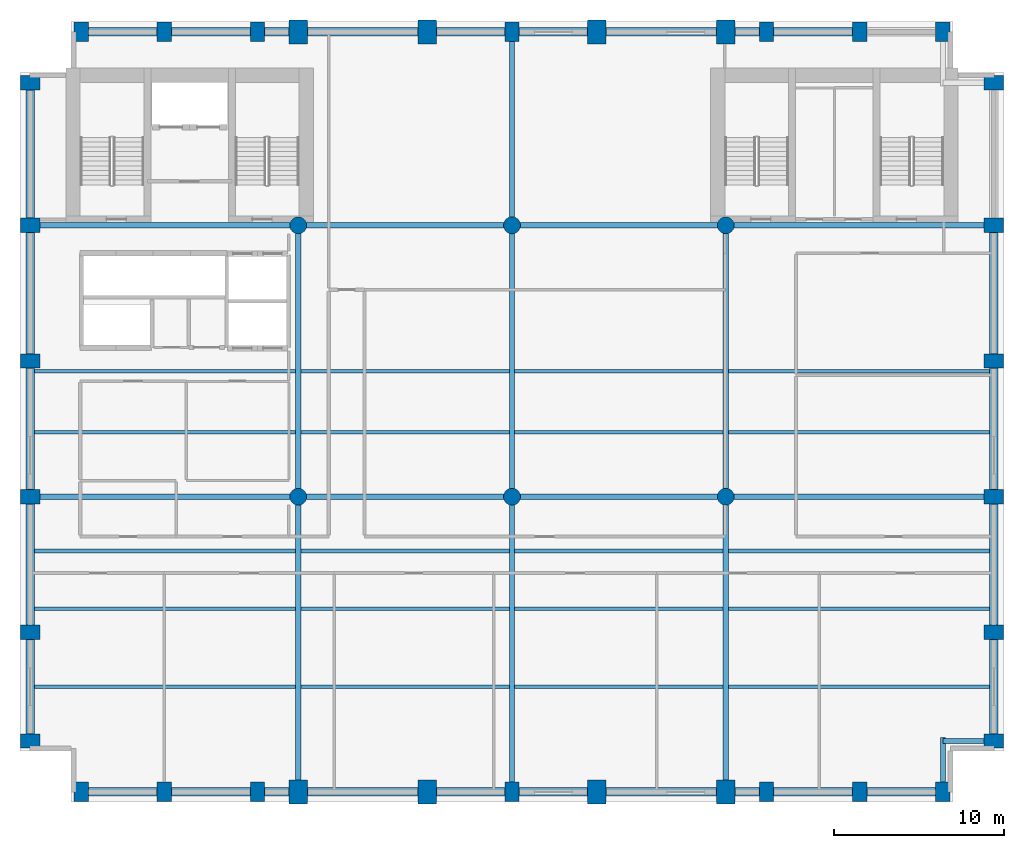
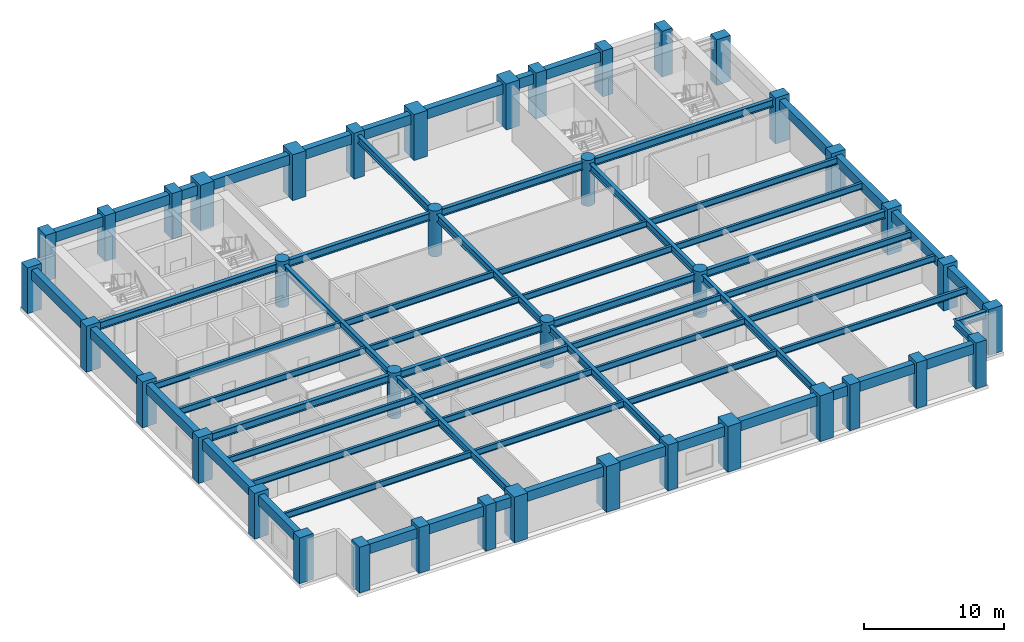
# One storey, part 1 of 8: 65 beams, 40 columns.
"""IFC4 building model written with IfcOpenShell, lengths in metres."""

import ifcopenshell
import ifcopenshell.guid

model = None  # the IFC model being written
_history = None  # IfcOwnerHistory: only IFC2X3 demands one
_inside = {}  # id of a spatial element -> (the spatial element, [elements in it])
_under = {}  # id of a project, library or spatial element -> (it, [spatial elements below it])
_declared = {}  # id of a project -> (the project, [libraries it declares])
_typed = {}  # id of a type object -> (the type object, [elements of that type])
_made_of = {}  # id of a material, layer set ... -> (it, [elements and type objects made of it])


def new_model(schema):
    """Start an empty IFC model of exactly this schema.

    Asked for "IFC4X3", IfcOpenShell would pick the latest addendum, in which some entities
    have other attributes; the version numbers below select the first issue.
    IFC2X3 requires an IfcOwnerHistory on every rooted entity: one is made here for all.
    """
    global model, _history
    if schema == "IFC4X3":
        model = ifcopenshell.file(schema_version=(4, 3, 0, 0))
    else:
        model = ifcopenshell.file(schema=schema)
    _inside.clear()
    _under.clear()
    _declared.clear()
    _typed.clear()
    _made_of.clear()
    _history = None
    if model.schema == "IFC2X3":
        org = make("IfcOrganization", Name="unknown")
        user = make(
            "IfcPersonAndOrganization",
            ThePerson=make("IfcPerson", FamilyName="unknown"),
            TheOrganization=org,
        )
        app = make(
            "IfcApplication",
            ApplicationDeveloper=org,
            Version="unknown",
            ApplicationFullName="unknown",
            ApplicationIdentifier="unknown",
        )
        _history = make(
            "IfcOwnerHistory",
            OwningUser=user,
            OwningApplication=app,
            ChangeAction="ADDED",
            CreationDate=0,
        )
    return model


def make(cls, **values):
    """One entity of the class cls with the attributes given. An attribute that is None is left unset."""
    return model.create_entity(
        cls, **{name: value for name, value in values.items() if value is not None}
    )


def rooted(cls, **values):
    """An entity with a GlobalId (a new one), such as an element, a storey or a relation."""
    return make(cls, GlobalId=ifcopenshell.guid.new(), OwnerHistory=_history, **values)


def si_unit(unit_type, name, prefix=None):
    """IfcSIUnit, for example si_unit("LENGTHUNIT", "METRE", prefix="MILLI")."""
    return make("IfcSIUnit", UnitType=unit_type, Prefix=prefix, Name=name)


def assignment(units):
    """IfcUnitAssignment: the units of a project."""
    return None if units is None else make("IfcUnitAssignment", Units=units)


def point(xyz):
    """IfcCartesianPoint."""
    return None if xyz is None else make("IfcCartesianPoint", Coordinates=xyz)


def direction(xyz):
    """IfcDirection."""
    return None if xyz is None else make("IfcDirection", DirectionRatios=xyz)


def frame(location, z_axis=None, x_axis=None):
    """IfcAxis2Placement3D, a coordinate frame: its origin and axes. An axis left out is left unset."""
    return make(
        "IfcAxis2Placement3D",
        Location=point(location),
        Axis=direction(z_axis),
        RefDirection=direction(x_axis),
    )


def frame_2d(location, x_axis=None):
    """IfcAxis2Placement2D, a coordinate frame in the plane: its origin and x axis."""
    return make(
        "IfcAxis2Placement2D", Location=point(location), RefDirection=direction(x_axis)
    )


def origin():
    """The frame at (0, 0, 0) with its axes left unset."""
    return frame((0.0, 0.0, 0.0))


def origin_2d():
    """The frame at (0, 0) in the plane with its x axis left unset."""
    return frame_2d((0.0, 0.0))


def place(relative_to, where):
    """IfcLocalPlacement: puts the frame where relative to a parent placement (None: the world)."""
    return make(
        "IfcLocalPlacement", PlacementRelTo=relative_to, RelativePlacement=where
    )


def context(
    kind, dimensions, precision=None, world=None, true_north=None, identifier=None
):
    """IfcGeometricRepresentationContext, for example the 3D "Model" context."""
    return make(
        "IfcGeometricRepresentationContext",
        ContextIdentifier=identifier,
        ContextType=kind,
        CoordinateSpaceDimension=dimensions,
        Precision=precision,
        WorldCoordinateSystem=world,
        TrueNorth=true_north,
    )


def subcontext(parent, identifier, kind, view, scale=None):
    """IfcGeometricRepresentationSubContext, for example "Body" below "Model"."""
    return make(
        "IfcGeometricRepresentationSubContext",
        ContextIdentifier=identifier,
        ContextType=kind,
        ParentContext=parent,
        TargetScale=scale,
        TargetView=view,
    )


def project(units=None, contexts=None):
    """IfcProject with its units and contexts."""
    return rooted(
        "IfcProject",
        Name="project",
        RepresentationContexts=contexts,
        UnitsInContext=assignment(units),
    )


def spatial(cls, under=None, at=None, **own):
    """A site, building, storey or space (cls), placed at a placement, below another one or the project."""
    s = rooted(cls, ObjectPlacement=at, **own)
    if under is not None:
        _under.setdefault(under.id(), (under, []))[1].append(s)
    return s


def profile(cls, at=None, kind="AREA", **sizes):
    """A parametric profile (cls). Its sizes go by their IFC names, for example OverallWidth=200.0."""
    return make(cls, ProfileType=kind, Position=at, **sizes)


def rectangle(**sizes):
    """IfcRectangleProfileDef."""
    return profile("IfcRectangleProfileDef", **sizes)


def circle(**sizes):
    """IfcCircleProfileDef."""
    return profile("IfcCircleProfileDef", **sizes)


def i_section(**sizes):
    """IfcIShapeProfileDef."""
    return profile("IfcIShapeProfileDef", **sizes)


def extrude(swept, where, along, depth):
    """IfcExtrudedAreaSolid: the profile swept, set in the frame where, extruded along a direction by depth."""
    return make(
        "IfcExtrudedAreaSolid",
        SweptArea=swept,
        Position=where,
        ExtrudedDirection=direction(along),
        Depth=depth,
    )


def shape(context_of_items, identifier, shape_type, items):
    """IfcShapeRepresentation: the items that make up one representation, for example the "Body"."""
    return make(
        "IfcShapeRepresentation",
        ContextOfItems=context_of_items,
        RepresentationIdentifier=identifier,
        RepresentationType=shape_type,
        Items=items,
    )


def material(Name=None, Category=None):
    """IfcMaterial."""
    return make("IfcMaterial", Name=Name, Category=Category)


def material_profile(
    of_material, cross_section, Name=None, Category=None, Priority=None
):
    """IfcMaterialProfile: a cross section and its material."""
    return make(
        "IfcMaterialProfile",
        Name=Name,
        Material=of_material,
        Profile=cross_section,
        Priority=Priority,
        Category=Category,
    )


def profile_set(profiles, Name=None, composite=None):
    """IfcMaterialProfileSet."""
    return make(
        "IfcMaterialProfileSet",
        Name=Name,
        MaterialProfiles=profiles,
        CompositeProfile=composite,
    )


def made_of(thing, what):
    """Note that an element or type object is made of a material, layer set ...; save() writes the relation."""
    if what is not None:
        _made_of.setdefault(what.id(), (what, []))[1].append(thing)
    return thing


def type_object(cls, material=None, **own):
    """A type object (cls), such as IfcWallType, which elements share."""
    return made_of(rooted(cls, **own), material)


def element(
    cls,
    number,
    at=None,
    inside=None,
    cuts=None,
    type_object=None,
    material=None,
    context=None,
    identifier="Body",
    shape_type=None,
    held_by="IfcProductDefinitionShape",
    body=None,
    shapes=None,
    **own,
):
    """One element of the class cls, such as IfcWall. Its Tag is "e" and its number.

    at: its placement. inside: the storey or other place that contains it. cuts: it is an
    opening in that element (IfcRelVoidsElement). A single representation is given by context,
    identifier, shape_type and body (its items); several are given by shapes. held_by: the class
    of the entity that holds the representations. save() writes the other relations.
    """
    e = rooted(cls, Tag="e%d" % number, ObjectPlacement=at, **own)
    if body is not None:
        shapes = [shape(context, identifier, shape_type, body)]
    if shapes is not None:
        e.Representation = make(held_by, Representations=shapes)
    if inside is not None:
        _inside.setdefault(inside.id(), (inside, []))[1].append(e)
    if cuts is not None:
        rooted(
            "IfcRelVoidsElement", RelatingBuildingElement=cuts, RelatedOpeningElement=e
        )
    if type_object is not None:
        _typed.setdefault(type_object.id(), (type_object, []))[1].append(e)
    return made_of(e, material)


def aggregate(whole, parts):
    """IfcRelAggregates: a whole, such as a stair, and the parts it consists of."""
    return rooted("IfcRelAggregates", RelatingObject=whole, RelatedObjects=parts)


def save(model, path):
    """Write the relations noted so far, then the file.

    IfcRelAggregates (storeys below a building ...), IfcRelContainedInSpatialStructure (elements
    in a storey), IfcRelDefinesByType, IfcRelAssociatesMaterial and IfcRelDeclares: one each for
    every whole, place, type object, material and project.
    """
    for whole, parts in _under.values():
        aggregate(whole, parts)
    for where, things in _inside.values():
        rooted(
            "IfcRelContainedInSpatialStructure",
            RelatedElements=things,
            RelatingStructure=where,
        )
    for kind, things in _typed.values():
        rooted("IfcRelDefinesByType", RelatedObjects=things, RelatingType=kind)
    for what, things in _made_of.values():
        rooted("IfcRelAssociatesMaterial", RelatedObjects=things, RelatingMaterial=what)
    for by, libraries in _declared.values():
        rooted("IfcRelDeclares", RelatingContext=by, RelatedDefinitions=libraries)
    model.write(path)


model = new_model("IFC4")

# Units and contexts
model_context = context("Model", 3, precision=1e-05, world=origin(), true_north=direction((0.0, 1.0)))
body_context = subcontext(model_context, "Body", "Model", "MODEL_VIEW")
ifc_project = project(units=[si_unit("LENGTHUNIT", "METRE"), si_unit("AREAUNIT", "SQUARE_METRE"), si_unit("VOLUMEUNIT", "CUBIC_METRE"), si_unit("PLANEANGLEUNIT", "RADIAN"), si_unit("MASSUNIT", "GRAM", prefix="KILO")], contexts=[model_context])

# Site, building, storey
site_placement = place(None, origin())
site = spatial("IfcSite", under=ifc_project, at=site_placement, CompositionType="ELEMENT")
building_placement = place(site_placement, origin())
building = spatial("IfcBuilding", under=site, at=building_placement, Name="Sulina Concourse Tower", CompositionType="ELEMENT")
storey_placement = place(building_placement, frame((0.0, 0.0, 100.60009765625)))
storey = spatial("IfcBuildingStorey", under=building, at=storey_placement, Name="L24", CompositionType="ELEMENT", Elevation=100.60009765625)

# Columns
ifc_material_1 = material(Name="Concrete C60/75", Category="concrete")
ifc_material_profile_1 = material_profile(ifc_material_1, circle(Radius=0.5, at=origin_2d()), Name="RC D1000")
ifc_profile_set_1 = profile_set([ifc_material_profile_1], Name="Concrete C60/75")
column_type_1 = type_object("IfcColumnType", Name="Lower Interior Circular Column D1000", PredefinedType="COLUMN", material=ifc_profile_set_1)
for number, where, z_axis, x_axis, name in (
    (1, (16.39990234375, 18.0, 0.0), (0.0, 0.0, 1.0), (1.0, 0.0, 0.0), "L24 structural column IC-M-164"),
    (2, (16.39990234375, 34.0, 0.0), (0.0, 0.0, 1.0), (1.0, 0.0, 0.0), "L24 structural column IC-N-164"),
    (3, (29.0, 18.0, 0.0), (0.0, 0.0, 1.0), (1.0, 0.0, 0.0), "L24 structural column IC-M-290"),
    (4, (29.0, 34.0, 0.0), (0.0, 0.0, 1.0), (1.0, 0.0, 0.0), "L24 structural column IC-N-290"),
    (5, (41.60009765625, 18.0, 0.0), (0.0, 0.0, 1.0), (1.0, 0.0, 0.0), "L24 structural column IC-M-416"),
    (6, (41.60009765625, 34.0, 0.0), (0.0, 0.0, 1.0), (1.0, 0.0, 0.0), "L24 structural column IC-N-416"),
):
    element("IfcColumn", number, at=place(storey_placement, frame(where, z_axis=z_axis, x_axis=x_axis)), inside=storey, type_object=column_type_1, Name=name, PredefinedType="COLUMN", context=body_context, shape_type="SweptSolid", body=[
        extrude(circle(Radius=0.5, at=origin_2d()), origin(), (0.0, 0.0, 1.0), 4.0),
    ])
ifc_material_2 = material(Name="Concrete C60/75", Category="concrete")
ifc_material_profile_2 = material_profile(ifc_material_2, rectangle(XDim=1.10009765625, YDim=1.39990234375, at=origin_2d()), Name="RC 1100x1400")
ifc_profile_set_2 = profile_set([ifc_material_profile_2], Name="Concrete C60/75")
column_type_2 = type_object("IfcColumnType", Name="Mid-Rise Portal Column 1100x1400", PredefinedType="COLUMN", material=ifc_profile_set_2)
for number, where, z_axis, x_axis, name in (
    (7, (16.39990234375, 0.60009765625, 0.0), (0.0, 0.0, 1.0), (1.0, 0.0, 0.0), "L24 structural column TP-S-164"),
    (8, (16.39990234375, 45.39990234375, 0.0), (0.0, 0.0, 1.0), (1.0, 0.0, 0.0), "L24 structural column TP-N-164"),
    (9, (24.0, 0.60009765625, 0.0), (0.0, 0.0, 1.0), (1.0, 0.0, 0.0), "L24 structural column TP-S-240"),
    (10, (24.0, 45.39990234375, 0.0), (0.0, 0.0, 1.0), (1.0, 0.0, 0.0), "L24 structural column TP-N-240"),
    (11, (34.0, 0.60009765625, 0.0), (0.0, 0.0, 1.0), (1.0, 0.0, 0.0), "L24 structural column TP-S-340"),
    (12, (34.0, 45.39990234375, 0.0), (0.0, 0.0, 1.0), (1.0, 0.0, 0.0), "L24 structural column TP-N-340"),
    (13, (41.60009765625, 0.60009765625, 0.0), (0.0, 0.0, 1.0), (1.0, 0.0, 0.0), "L24 structural column TP-S-416"),
    (14, (41.60009765625, 45.39990234375, 0.0), (0.0, 0.0, 1.0), (1.0, 0.0, 0.0), "L24 structural column TP-N-416"),
):
    element("IfcColumn", number, at=place(storey_placement, frame(where, z_axis=z_axis, x_axis=x_axis)), inside=storey, type_object=column_type_2, Name=name, PredefinedType="COLUMN", context=body_context, shape_type="SweptSolid", body=[
        extrude(rectangle(XDim=1.10009765625, YDim=1.39990234375, at=origin_2d()), origin(), (0.0, 0.0, 1.0), 4.0),
    ])
ifc_material_3 = material(Name="Precast concrete C60/75", Category="concrete")
ifc_material_profile_3 = material_profile(ifc_material_3, rectangle(XDim=0.85009765625, YDim=1.14990234375, at=origin_2d()), Name="PC 850x1150")
ifc_profile_set_3 = profile_set([ifc_material_profile_3], Name="Precast concrete C60/75")
column_type_3 = type_object("IfcColumnType", Name="Precast Tube Pier Zone 2 850x1150", PredefinedType="COLUMN", material=ifc_profile_set_3)
for number, where, z_axis, x_axis, name in (
    (15, (3.60009765625, 0.60009765625, 0.0), (0.0, 0.0, 1.0), (1.0, 0.0, 0.0), "L24 structural column TP-S-36"),
    (16, (3.60009765625, 45.39990234375, 0.0), (0.0, 0.0, 1.0), (1.0, 0.0, 0.0), "L24 structural column TP-N-36"),
    (17, (8.5, 0.60009765625, 0.0), (0.0, 0.0, 1.0), (1.0, 0.0, 0.0), "L24 structural column TP-S-85"),
    (18, (8.5, 45.39990234375, 0.0), (0.0, 0.0, 1.0), (1.0, 0.0, 0.0), "L24 structural column TP-N-85"),
    (19, (14.0, 0.60009765625, 0.0), (0.0, 0.0, 1.0), (1.0, 0.0, 0.0), "L24 structural column TP-S-140"),
    (20, (14.0, 45.39990234375, 0.0), (0.0, 0.0, 1.0), (1.0, 0.0, 0.0), "L24 structural column TP-N-140"),
    (21, (29.0, 0.60009765625, 0.0), (0.0, 0.0, 1.0), (1.0, 0.0, 0.0), "L24 structural column TP-S-290"),
    (22, (29.0, 45.39990234375, 0.0), (0.0, 0.0, 1.0), (1.0, 0.0, 0.0), "L24 structural column TP-N-290"),
    (23, (44.0, 0.60009765625, 0.0), (0.0, 0.0, 1.0), (1.0, 0.0, 0.0), "L24 structural column TP-S-440"),
    (24, (44.0, 45.39990234375, 0.0), (0.0, 0.0, 1.0), (1.0, 0.0, 0.0), "L24 structural column TP-N-440"),
    (25, (49.5, 0.60009765625, 0.0), (0.0, 0.0, 1.0), (1.0, 0.0, 0.0), "L24 structural column TP-S-495"),
    (26, (49.5, 45.39990234375, 0.0), (0.0, 0.0, 1.0), (1.0, 0.0, 0.0), "L24 structural column TP-N-495"),
    (27, (54.39990234375, 0.60009765625, 0.0), (0.0, 0.0, 1.0), (1.0, 0.0, 0.0), "L24 structural column TP-S-544"),
    (28, (54.39990234375, 45.39990234375, 0.0), (0.0, 0.0, 1.0), (1.0, 0.0, 0.0), "L24 structural column TP-N-544"),
    (29, (0.60009765625, 3.60009765625, 0.0), (0.0, 0.0, 1.0), (0.0, 1.0, 0.0), "L24 structural column TP-W-36"),
    (30, (57.39990234375, 3.60009765625, 0.0), (0.0, 0.0, 1.0), (0.0, 1.0, 0.0), "L24 structural column TP-E-36"),
    (31, (0.60009765625, 10.0, 0.0), (0.0, 0.0, 1.0), (0.0, 1.0, 0.0), "L24 structural column TP-W-100"),
    (32, (57.39990234375, 10.0, 0.0), (0.0, 0.0, 1.0), (0.0, 1.0, 0.0), "L24 structural column TP-E-100"),
    (33, (0.60009765625, 18.0, 0.0), (0.0, 0.0, 1.0), (0.0, 1.0, 0.0), "L24 structural column TP-W-180"),
    (34, (57.39990234375, 18.0, 0.0), (0.0, 0.0, 1.0), (0.0, 1.0, 0.0), "L24 structural column TP-E-180"),
    (35, (0.60009765625, 26.0, 0.0), (0.0, 0.0, 1.0), (0.0, 1.0, 0.0), "L24 structural column TP-W-260"),
    (36, (57.39990234375, 26.0, 0.0), (0.0, 0.0, 1.0), (0.0, 1.0, 0.0), "L24 structural column TP-E-260"),
    (37, (0.60009765625, 34.0, 0.0), (0.0, 0.0, 1.0), (0.0, 1.0, 0.0), "L24 structural column TP-W-340"),
    (38, (57.39990234375, 34.0, 0.0), (0.0, 0.0, 1.0), (0.0, 1.0, 0.0), "L24 structural column TP-E-340"),
    (39, (0.60009765625, 42.39990234375, 0.0), (0.0, 0.0, 1.0), (0.0, 1.0, 0.0), "L24 structural column TP-W-424"),
    (40, (57.39990234375, 42.39990234375, 0.0), (0.0, 0.0, 1.0), (0.0, 1.0, 0.0), "L24 structural column TP-E-424"),
):
    element("IfcColumn", number, at=place(storey_placement, frame(where, z_axis=z_axis, x_axis=x_axis)), inside=storey, type_object=column_type_3, Name=name, PredefinedType="COLUMN", context=body_context, shape_type="SweptSolid", body=[
        extrude(rectangle(XDim=0.85009765625, YDim=1.14990234375, at=origin_2d()), origin(), (0.0, 0.0, 1.0), 4.0),
    ])

# Beams
ifc_material_4 = material(Name="Steel S355", Category="steel")
ifc_material_profile_4 = material_profile(ifc_material_4, i_section(OverallWidth=0.2099609375, OverallDepth=0.550048828125, WebThickness=0.010986328125, FlangeThickness=0.01708984375, at=origin_2d()), Name="IPE 550")
ifc_profile_set_4 = profile_set([ifc_material_profile_4], Name="Steel S355")
beam_type_1 = type_object("IfcBeamType", Name="Composite Floor Joist IPE550", PredefinedType="JOIST", material=ifc_profile_set_4)
beam_1_placement = place(storey_placement, frame((0.85009765625, 6.800048828125, 3.449951171875), z_axis=(1.0, 0.0, 0.0), x_axis=(0.0, 1.0, 0.0)))
element("IfcBeam", 41, at=beam_1_placement, inside=storey, type_object=beam_type_1, Name="FJ-J06-1-L24", PredefinedType="JOIST", context=body_context, shape_type="SweptSolid", body=[
    extrude(i_section(OverallWidth=0.2099609375, OverallDepth=0.550048828125, WebThickness=0.010986328125, FlangeThickness=0.01708984375, at=origin_2d()), origin(), (0.0, 0.0, 1.0), 15.39990234375),
])
for number, where, z_axis, x_axis, name in (
    (42, (16.550048828125, 6.800048828125, 3.449951171875), (1.0, 0.0, 0.0), (0.0, 1.0, 0.0), "FJ-J06-2-L24"),
    (43, (29.14990234375, 6.800048828125, 3.449951171875), (1.0, 0.0, 0.0), (0.0, 1.0, 0.0), "FJ-J06-3-L24"),
):
    element("IfcBeam", number, at=place(storey_placement, frame(where, z_axis=z_axis, x_axis=x_axis)), inside=storey, type_object=beam_type_1, Name=name, PredefinedType="JOIST", context=body_context, shape_type="SweptSolid", body=[
        extrude(i_section(OverallWidth=0.2099609375, OverallDepth=0.550048828125, WebThickness=0.010986328125, FlangeThickness=0.01708984375, at=origin_2d()), origin(), (0.0, 0.0, 1.0), 12.300048828125),
    ])
for number, where, z_axis, x_axis, name in (
    (44, (41.75, 6.800048828125, 3.449951171875), (1.0, 0.0, 0.0), (0.0, 1.0, 0.0), "FJ-J06-4-L24"),
    (45, (0.85009765625, 11.39990234375, 3.449951171875), (1.0, 0.0, 0.0), (0.0, 1.0, 0.0), "FJ-J11-1-L24"),
):
    element("IfcBeam", number, at=place(storey_placement, frame(where, z_axis=z_axis, x_axis=x_axis)), inside=storey, type_object=beam_type_1, Name=name, PredefinedType="JOIST", context=body_context, shape_type="SweptSolid", body=[
        extrude(i_section(OverallWidth=0.2099609375, OverallDepth=0.550048828125, WebThickness=0.010986328125, FlangeThickness=0.01708984375, at=origin_2d()), origin(), (0.0, 0.0, 1.0), 15.39990234375),
    ])
for number, where, z_axis, x_axis, name in (
    (46, (16.550048828125, 11.39990234375, 3.449951171875), (1.0, 0.0, 0.0), (0.0, 1.0, 0.0), "FJ-J11-2-L24"),
    (47, (29.14990234375, 11.39990234375, 3.449951171875), (1.0, 0.0, 0.0), (0.0, 1.0, 0.0), "FJ-J11-3-L24"),
):
    element("IfcBeam", number, at=place(storey_placement, frame(where, z_axis=z_axis, x_axis=x_axis)), inside=storey, type_object=beam_type_1, Name=name, PredefinedType="JOIST", context=body_context, shape_type="SweptSolid", body=[
        extrude(i_section(OverallWidth=0.2099609375, OverallDepth=0.550048828125, WebThickness=0.010986328125, FlangeThickness=0.01708984375, at=origin_2d()), origin(), (0.0, 0.0, 1.0), 12.300048828125),
    ])
for number, where, z_axis, x_axis, name in (
    (48, (41.75, 11.39990234375, 3.449951171875), (1.0, 0.0, 0.0), (0.0, 1.0, 0.0), "FJ-J11-4-L24"),
    (49, (0.85009765625, 14.800048828125, 3.449951171875), (1.0, 0.0, 0.0), (0.0, 1.0, 0.0), "FJ-J15-1-L24"),
):
    element("IfcBeam", number, at=place(storey_placement, frame(where, z_axis=z_axis, x_axis=x_axis)), inside=storey, type_object=beam_type_1, Name=name, PredefinedType="JOIST", context=body_context, shape_type="SweptSolid", body=[
        extrude(i_section(OverallWidth=0.2099609375, OverallDepth=0.550048828125, WebThickness=0.010986328125, FlangeThickness=0.01708984375, at=origin_2d()), origin(), (0.0, 0.0, 1.0), 15.39990234375),
    ])
for number, where, z_axis, x_axis, name in (
    (50, (16.550048828125, 14.800048828125, 3.449951171875), (1.0, 0.0, 0.0), (0.0, 1.0, 0.0), "FJ-J15-2-L24"),
    (51, (29.14990234375, 14.800048828125, 3.449951171875), (1.0, 0.0, 0.0), (0.0, 1.0, 0.0), "FJ-J15-3-L24"),
):
    element("IfcBeam", number, at=place(storey_placement, frame(where, z_axis=z_axis, x_axis=x_axis)), inside=storey, type_object=beam_type_1, Name=name, PredefinedType="JOIST", context=body_context, shape_type="SweptSolid", body=[
        extrude(i_section(OverallWidth=0.2099609375, OverallDepth=0.550048828125, WebThickness=0.010986328125, FlangeThickness=0.01708984375, at=origin_2d()), origin(), (0.0, 0.0, 1.0), 12.300048828125),
    ])
for number, where, z_axis, x_axis, name in (
    (52, (41.75, 14.800048828125, 3.449951171875), (1.0, 0.0, 0.0), (0.0, 1.0, 0.0), "FJ-J15-4-L24"),
    (53, (0.85009765625, 21.800048828125, 3.449951171875), (1.0, 0.0, 0.0), (0.0, 1.0, 0.0), "FJ-J22-1-L24"),
):
    element("IfcBeam", number, at=place(storey_placement, frame(where, z_axis=z_axis, x_axis=x_axis)), inside=storey, type_object=beam_type_1, Name=name, PredefinedType="JOIST", context=body_context, shape_type="SweptSolid", body=[
        extrude(i_section(OverallWidth=0.2099609375, OverallDepth=0.550048828125, WebThickness=0.010986328125, FlangeThickness=0.01708984375, at=origin_2d()), origin(), (0.0, 0.0, 1.0), 15.39990234375),
    ])
for number, where, z_axis, x_axis, name in (
    (54, (16.550048828125, 21.800048828125, 3.449951171875), (1.0, 0.0, 0.0), (0.0, 1.0, 0.0), "FJ-J22-2-L24"),
    (55, (29.14990234375, 21.800048828125, 3.449951171875), (1.0, 0.0, 0.0), (0.0, 1.0, 0.0), "FJ-J22-3-L24"),
):
    element("IfcBeam", number, at=place(storey_placement, frame(where, z_axis=z_axis, x_axis=x_axis)), inside=storey, type_object=beam_type_1, Name=name, PredefinedType="JOIST", context=body_context, shape_type="SweptSolid", body=[
        extrude(i_section(OverallWidth=0.2099609375, OverallDepth=0.550048828125, WebThickness=0.010986328125, FlangeThickness=0.01708984375, at=origin_2d()), origin(), (0.0, 0.0, 1.0), 12.300048828125),
    ])
for number, where, z_axis, x_axis, name in (
    (56, (41.75, 21.800048828125, 3.449951171875), (1.0, 0.0, 0.0), (0.0, 1.0, 0.0), "FJ-J22-4-L24"),
    (57, (0.85009765625, 25.39990234375, 3.449951171875), (1.0, 0.0, 0.0), (0.0, 1.0, 0.0), "FJ-J25-1-L24"),
):
    element("IfcBeam", number, at=place(storey_placement, frame(where, z_axis=z_axis, x_axis=x_axis)), inside=storey, type_object=beam_type_1, Name=name, PredefinedType="JOIST", context=body_context, shape_type="SweptSolid", body=[
        extrude(i_section(OverallWidth=0.2099609375, OverallDepth=0.550048828125, WebThickness=0.010986328125, FlangeThickness=0.01708984375, at=origin_2d()), origin(), (0.0, 0.0, 1.0), 15.39990234375),
    ])
for number, where, z_axis, x_axis, name in (
    (58, (16.550048828125, 25.39990234375, 3.449951171875), (1.0, 0.0, 0.0), (0.0, 1.0, 0.0), "FJ-J25-2-L24"),
    (59, (29.14990234375, 25.39990234375, 3.449951171875), (1.0, 0.0, 0.0), (0.0, 1.0, 0.0), "FJ-J25-3-L24"),
):
    element("IfcBeam", number, at=place(storey_placement, frame(where, z_axis=z_axis, x_axis=x_axis)), inside=storey, type_object=beam_type_1, Name=name, PredefinedType="JOIST", context=body_context, shape_type="SweptSolid", body=[
        extrude(i_section(OverallWidth=0.2099609375, OverallDepth=0.550048828125, WebThickness=0.010986328125, FlangeThickness=0.01708984375, at=origin_2d()), origin(), (0.0, 0.0, 1.0), 12.300048828125),
    ])
beam_2_placement = place(storey_placement, frame((41.75, 25.39990234375, 3.449951171875), z_axis=(1.0, 0.0, 0.0), x_axis=(0.0, 1.0, 0.0)))
element("IfcBeam", 60, at=beam_2_placement, inside=storey, type_object=beam_type_1, Name="FJ-J25-4-L24", PredefinedType="JOIST", context=body_context, shape_type="SweptSolid", body=[
    extrude(i_section(OverallWidth=0.2099609375, OverallDepth=0.550048828125, WebThickness=0.010986328125, FlangeThickness=0.01708984375, at=origin_2d()), origin(), (0.0, 0.0, 1.0), 15.39990234375),
])
ifc_material_5 = material(Name="Steel S355", Category="steel")
ifc_material_profile_5 = material_profile(ifc_material_5, i_section(OverallWidth=0.300048828125, OverallDepth=0.64990234375, WebThickness=0.01611328125, FlangeThickness=0.031005859375, at=origin_2d()), Name="HE 650 B")
ifc_profile_set_5 = profile_set([ifc_material_profile_5], Name="Steel S355")
beam_type_2 = type_object("IfcBeamType", Name="Floor Primary Girder Zone 2 HE650B", PredefinedType="BEAM", material=ifc_profile_set_5)
beam_3_placement = place(storey_placement, frame((54.39990234375, 3.60009765625, 3.39990234375), z_axis=(1.0, 0.0, 0.0), x_axis=(0.0, 1.0, 0.0)))
element("IfcBeam", 61, at=beam_3_placement, inside=storey, type_object=beam_type_2, Name="TIE-SE-L24", PredefinedType="BEAM", context=body_context, shape_type="SweptSolid", body=[
    extrude(i_section(OverallWidth=0.300048828125, OverallDepth=0.64990234375, WebThickness=0.01611328125, FlangeThickness=0.031005859375, at=origin_2d()), origin(), (0.0, 0.0, 1.0), 2.59521484375),
])
beam_4_placement = place(storey_placement, frame((54.39990234375, 1.0048828125, 3.39990234375), z_axis=(0.0, 1.0, 0.0), x_axis=(-1.0, 0.0, 0.0)))
element("IfcBeam", 62, at=beam_4_placement, inside=storey, type_object=beam_type_2, Name="TIE-SES-L24", PredefinedType="BEAM", context=body_context, shape_type="SweptSolid", body=[
    extrude(i_section(OverallWidth=0.300048828125, OverallDepth=0.64990234375, WebThickness=0.01611328125, FlangeThickness=0.031005859375, at=origin_2d()), origin(), (0.0, 0.0, 1.0), 2.795166015625),
])
beam_5_placement = place(storey_placement, frame((1.0048828125, 18.0, 3.39990234375), z_axis=(1.0, 0.0, 0.0), x_axis=(0.0, 1.0, 0.0)))
element("IfcBeam", 63, at=beam_5_placement, inside=storey, type_object=beam_type_2, Name="FG-EW1-L24", PredefinedType="BEAM", context=body_context, shape_type="SweptSolid", body=[
    extrude(i_section(OverallWidth=0.300048828125, OverallDepth=0.64990234375, WebThickness=0.01611328125, FlangeThickness=0.031005859375, at=origin_2d()), origin(), (0.0, 0.0, 1.0), 14.9150390625),
])
for number, where, z_axis, x_axis, name in (
    (64, (16.8798828125, 18.0, 3.39990234375), (1.0, 0.0, 0.0), (0.0, 1.0, 0.0), "FG-EW2-L24"),
    (65, (29.47998046875, 18.0, 3.39990234375), (1.0, 0.0, 0.0), (0.0, 1.0, 0.0), "FG-EW3-L24"),
):
    element("IfcBeam", number, at=place(storey_placement, frame(where, z_axis=z_axis, x_axis=x_axis)), inside=storey, type_object=beam_type_2, Name=name, PredefinedType="BEAM", context=body_context, shape_type="SweptSolid", body=[
        extrude(i_section(OverallWidth=0.300048828125, OverallDepth=0.64990234375, WebThickness=0.01611328125, FlangeThickness=0.031005859375, at=origin_2d()), origin(), (0.0, 0.0, 1.0), 11.64013671875),
    ])
for number, where, z_axis, x_axis, name in (
    (66, (42.080078125, 18.0, 3.39990234375), (1.0, 0.0, 0.0), (0.0, 1.0, 0.0), "FG-EW4-L24"),
    (67, (1.0048828125, 34.0, 3.39990234375), (1.0, 0.0, 0.0), (0.0, 1.0, 0.0), "FG-EWN1-L24"),
):
    element("IfcBeam", number, at=place(storey_placement, frame(where, z_axis=z_axis, x_axis=x_axis)), inside=storey, type_object=beam_type_2, Name=name, PredefinedType="BEAM", context=body_context, shape_type="SweptSolid", body=[
        extrude(i_section(OverallWidth=0.300048828125, OverallDepth=0.64990234375, WebThickness=0.01611328125, FlangeThickness=0.031005859375, at=origin_2d()), origin(), (0.0, 0.0, 1.0), 14.9150390625),
    ])
for number, where, z_axis, x_axis, name in (
    (68, (16.8798828125, 34.0, 3.39990234375), (1.0, 0.0, 0.0), (0.0, 1.0, 0.0), "FG-EWN2-L24"),
    (69, (29.47998046875, 34.0, 3.39990234375), (1.0, 0.0, 0.0), (0.0, 1.0, 0.0), "FG-EWN3-L24"),
):
    element("IfcBeam", number, at=place(storey_placement, frame(where, z_axis=z_axis, x_axis=x_axis)), inside=storey, type_object=beam_type_2, Name=name, PredefinedType="BEAM", context=body_context, shape_type="SweptSolid", body=[
        extrude(i_section(OverallWidth=0.300048828125, OverallDepth=0.64990234375, WebThickness=0.01611328125, FlangeThickness=0.031005859375, at=origin_2d()), origin(), (0.0, 0.0, 1.0), 11.64013671875),
    ])
beam_6_placement = place(storey_placement, frame((42.080078125, 34.0, 3.39990234375), z_axis=(1.0, 0.0, 0.0), x_axis=(0.0, 1.0, 0.0)))
element("IfcBeam", 70, at=beam_6_placement, inside=storey, type_object=beam_type_2, Name="FG-EWN4-L24", PredefinedType="BEAM", context=body_context, shape_type="SweptSolid", body=[
    extrude(i_section(OverallWidth=0.300048828125, OverallDepth=0.64990234375, WebThickness=0.01611328125, FlangeThickness=0.031005859375, at=origin_2d()), origin(), (0.0, 0.0, 1.0), 14.9150390625),
])
beam_7_placement = place(storey_placement, frame((16.39990234375, 1.1298828125, 3.39990234375), z_axis=(0.0, 1.0, 0.0), x_axis=(-1.0, 0.0, 0.0)))
element("IfcBeam", 71, at=beam_7_placement, inside=storey, type_object=beam_type_2, Name="FG-NSA-16-L24", PredefinedType="BEAM", context=body_context, shape_type="SweptSolid", body=[
    extrude(i_section(OverallWidth=0.300048828125, OverallDepth=0.64990234375, WebThickness=0.01611328125, FlangeThickness=0.031005859375, at=origin_2d()), origin(), (0.0, 0.0, 1.0), 16.39013671875),
])
beam_8_placement = place(storey_placement, frame((16.39990234375, 18.47998046875, 3.39990234375), z_axis=(0.0, 1.0, 0.0), x_axis=(-1.0, 0.0, 0.0)))
element("IfcBeam", 72, at=beam_8_placement, inside=storey, type_object=beam_type_2, Name="FG-NSB-16-L24", PredefinedType="BEAM", context=body_context, shape_type="SweptSolid", body=[
    extrude(i_section(OverallWidth=0.300048828125, OverallDepth=0.64990234375, WebThickness=0.01611328125, FlangeThickness=0.031005859375, at=origin_2d()), origin(), (0.0, 0.0, 1.0), 15.0400390625),
])
beam_9_placement = place(storey_placement, frame((29.0, 1.0048828125, 3.39990234375), z_axis=(0.0, 1.0, 0.0), x_axis=(-1.0, 0.0, 0.0)))
element("IfcBeam", 73, at=beam_9_placement, inside=storey, type_object=beam_type_2, Name="FG-NSA-29-L24", PredefinedType="BEAM", context=body_context, shape_type="SweptSolid", body=[
    extrude(i_section(OverallWidth=0.300048828125, OverallDepth=0.64990234375, WebThickness=0.01611328125, FlangeThickness=0.031005859375, at=origin_2d()), origin(), (0.0, 0.0, 1.0), 16.51513671875),
])
beam_10_placement = place(storey_placement, frame((29.0, 18.47998046875, 3.39990234375), z_axis=(0.0, 1.0, 0.0), x_axis=(-1.0, 0.0, 0.0)))
element("IfcBeam", 74, at=beam_10_placement, inside=storey, type_object=beam_type_2, Name="FG-NSB-29-L24", PredefinedType="BEAM", context=body_context, shape_type="SweptSolid", body=[
    extrude(i_section(OverallWidth=0.300048828125, OverallDepth=0.64990234375, WebThickness=0.01611328125, FlangeThickness=0.031005859375, at=origin_2d()), origin(), (0.0, 0.0, 1.0), 15.0400390625),
])
beam_11_placement = place(storey_placement, frame((29.0, 34.47998046875, 3.39990234375), z_axis=(0.0, 1.0, 0.0), x_axis=(-1.0, 0.0, 0.0)))
element("IfcBeam", 75, at=beam_11_placement, inside=storey, type_object=beam_type_2, Name="FG-NSC-29-L24", PredefinedType="BEAM", context=body_context, shape_type="SweptSolid", body=[
    extrude(i_section(OverallWidth=0.300048828125, OverallDepth=0.64990234375, WebThickness=0.01611328125, FlangeThickness=0.031005859375, at=origin_2d()), origin(), (0.0, 0.0, 1.0), 10.51513671875),
])
beam_12_placement = place(storey_placement, frame((41.60009765625, 1.1298828125, 3.39990234375), z_axis=(0.0, 1.0, 0.0), x_axis=(-1.0, 0.0, 0.0)))
element("IfcBeam", 76, at=beam_12_placement, inside=storey, type_object=beam_type_2, Name="FG-NSA-41-L24", PredefinedType="BEAM", context=body_context, shape_type="SweptSolid", body=[
    extrude(i_section(OverallWidth=0.300048828125, OverallDepth=0.64990234375, WebThickness=0.01611328125, FlangeThickness=0.031005859375, at=origin_2d()), origin(), (0.0, 0.0, 1.0), 16.39013671875),
])
beam_13_placement = place(storey_placement, frame((41.60009765625, 18.47998046875, 3.39990234375), z_axis=(0.0, 1.0, 0.0), x_axis=(-1.0, 0.0, 0.0)))
element("IfcBeam", 77, at=beam_13_placement, inside=storey, type_object=beam_type_2, Name="FG-NSB-41-L24", PredefinedType="BEAM", context=body_context, shape_type="SweptSolid", body=[
    extrude(i_section(OverallWidth=0.300048828125, OverallDepth=0.64990234375, WebThickness=0.01611328125, FlangeThickness=0.031005859375, at=origin_2d()), origin(), (0.0, 0.0, 1.0), 15.0400390625),
])
ifc_material_6 = material(Name="Precast concrete C50/60", Category="concrete")
ifc_material_profile_6 = material_profile(ifc_material_6, rectangle(XDim=0.5, YDim=0.85009765625, at=origin_2d()), Name="RC 500x850")
ifc_profile_set_6 = profile_set([ifc_material_profile_6], Name="Precast concrete C50/60")
beam_type_3 = type_object("IfcBeamType", Name="Lower Precast Spandrel Edge Beam 500x850", PredefinedType="BEAM", material=ifc_profile_set_6)
beam_14_placement = place(storey_placement, frame((4.0048828125, 0.60009765625, 3.2998046875), z_axis=(1.0, 0.0, 0.0), x_axis=(0.0, 1.0, 0.0)))
element("IfcBeam", 78, at=beam_14_placement, inside=storey, type_object=beam_type_3, Name="SP-S1-L24", PredefinedType="BEAM", context=body_context, shape_type="SweptSolid", body=[
    extrude(rectangle(XDim=0.5, YDim=0.85009765625, at=origin_2d()), origin(), (0.0, 0.0, 1.0), 4.090087890625),
])
beam_15_placement = place(storey_placement, frame((8.905029296875, 0.60009765625, 3.2998046875), z_axis=(1.0, 0.0, 0.0), x_axis=(0.0, 1.0, 0.0)))
element("IfcBeam", 79, at=beam_15_placement, inside=storey, type_object=beam_type_3, Name="SP-S2-L24", PredefinedType="BEAM", context=body_context, shape_type="SweptSolid", body=[
    extrude(rectangle(XDim=0.5, YDim=0.85009765625, at=origin_2d()), origin(), (0.0, 0.0, 1.0), 4.68994140625),
])
beam_16_placement = place(storey_placement, frame((14.405029296875, 0.60009765625, 3.2998046875), z_axis=(1.0, 0.0, 0.0), x_axis=(0.0, 1.0, 0.0)))
element("IfcBeam", 80, at=beam_16_placement, inside=storey, type_object=beam_type_3, Name="SP-S3-L24", PredefinedType="BEAM", context=body_context, shape_type="SweptSolid", body=[
    extrude(rectangle(XDim=0.5, YDim=0.85009765625, at=origin_2d()), origin(), (0.0, 0.0, 1.0), 1.465087890625),
])
beam_17_placement = place(storey_placement, frame((16.929931640625, 0.60009765625, 3.2998046875), z_axis=(1.0, 0.0, 0.0), x_axis=(0.0, 1.0, 0.0)))
element("IfcBeam", 81, at=beam_17_placement, inside=storey, type_object=beam_type_3, Name="SP-S4-L24", PredefinedType="BEAM", context=body_context, shape_type="SweptSolid", body=[
    extrude(rectangle(XDim=0.5, YDim=0.85009765625, at=origin_2d()), origin(), (0.0, 0.0, 1.0), 6.5400390625),
])
for number, where, z_axis, x_axis, name in (
    (82, (24.530029296875, 0.60009765625, 3.2998046875), (1.0, 0.0, 0.0), (0.0, 1.0, 0.0), "SP-S5-L24"),
    (83, (29.405029296875, 0.60009765625, 3.2998046875), (1.0, 0.0, 0.0), (0.0, 1.0, 0.0), "SP-S6-L24"),
):
    element("IfcBeam", number, at=place(storey_placement, frame(where, z_axis=z_axis, x_axis=x_axis)), inside=storey, type_object=beam_type_3, Name=name, PredefinedType="BEAM", context=body_context, shape_type="SweptSolid", body=[
        extrude(rectangle(XDim=0.5, YDim=0.85009765625, at=origin_2d()), origin(), (0.0, 0.0, 1.0), 4.06494140625),
    ])
beam_18_placement = place(storey_placement, frame((34.530029296875, 0.60009765625, 3.2998046875), z_axis=(1.0, 0.0, 0.0), x_axis=(0.0, 1.0, 0.0)))
element("IfcBeam", 84, at=beam_18_placement, inside=storey, type_object=beam_type_3, Name="SP-S7-L24", PredefinedType="BEAM", context=body_context, shape_type="SweptSolid", body=[
    extrude(rectangle(XDim=0.5, YDim=0.85009765625, at=origin_2d()), origin(), (0.0, 0.0, 1.0), 6.5400390625),
])
beam_19_placement = place(storey_placement, frame((42.1298828125, 0.60009765625, 3.2998046875), z_axis=(1.0, 0.0, 0.0), x_axis=(0.0, 1.0, 0.0)))
element("IfcBeam", 85, at=beam_19_placement, inside=storey, type_object=beam_type_3, Name="SP-S8-L24", PredefinedType="BEAM", context=body_context, shape_type="SweptSolid", body=[
    extrude(rectangle(XDim=0.5, YDim=0.85009765625, at=origin_2d()), origin(), (0.0, 0.0, 1.0), 1.465087890625),
])
beam_20_placement = place(storey_placement, frame((44.405029296875, 0.60009765625, 3.2998046875), z_axis=(1.0, 0.0, 0.0), x_axis=(0.0, 1.0, 0.0)))
element("IfcBeam", 86, at=beam_20_placement, inside=storey, type_object=beam_type_3, Name="SP-S9-L24", PredefinedType="BEAM", context=body_context, shape_type="SweptSolid", body=[
    extrude(rectangle(XDim=0.5, YDim=0.85009765625, at=origin_2d()), origin(), (0.0, 0.0, 1.0), 4.68994140625),
])
for number, where, z_axis, x_axis, name in (
    (87, (49.905029296875, 0.60009765625, 3.2998046875), (1.0, 0.0, 0.0), (0.0, 1.0, 0.0), "SP-S10-L24"),
    (88, (4.0048828125, 45.39990234375, 3.2998046875), (1.0, 0.0, 0.0), (0.0, 1.0, 0.0), "SP-N1-L24"),
):
    element("IfcBeam", number, at=place(storey_placement, frame(where, z_axis=z_axis, x_axis=x_axis)), inside=storey, type_object=beam_type_3, Name=name, PredefinedType="BEAM", context=body_context, shape_type="SweptSolid", body=[
        extrude(rectangle(XDim=0.5, YDim=0.85009765625, at=origin_2d()), origin(), (0.0, 0.0, 1.0), 4.090087890625),
    ])
beam_21_placement = place(storey_placement, frame((8.905029296875, 45.39990234375, 3.2998046875), z_axis=(1.0, 0.0, 0.0), x_axis=(0.0, 1.0, 0.0)))
element("IfcBeam", 89, at=beam_21_placement, inside=storey, type_object=beam_type_3, Name="SP-N2-L24", PredefinedType="BEAM", context=body_context, shape_type="SweptSolid", body=[
    extrude(rectangle(XDim=0.5, YDim=0.85009765625, at=origin_2d()), origin(), (0.0, 0.0, 1.0), 4.68994140625),
])
beam_22_placement = place(storey_placement, frame((14.405029296875, 45.39990234375, 3.2998046875), z_axis=(1.0, 0.0, 0.0), x_axis=(0.0, 1.0, 0.0)))
element("IfcBeam", 90, at=beam_22_placement, inside=storey, type_object=beam_type_3, Name="SP-N3-L24", PredefinedType="BEAM", context=body_context, shape_type="SweptSolid", body=[
    extrude(rectangle(XDim=0.5, YDim=0.85009765625, at=origin_2d()), origin(), (0.0, 0.0, 1.0), 1.465087890625),
])
beam_23_placement = place(storey_placement, frame((16.929931640625, 45.39990234375, 3.2998046875), z_axis=(1.0, 0.0, 0.0), x_axis=(0.0, 1.0, 0.0)))
element("IfcBeam", 91, at=beam_23_placement, inside=storey, type_object=beam_type_3, Name="SP-N4-L24", PredefinedType="BEAM", context=body_context, shape_type="SweptSolid", body=[
    extrude(rectangle(XDim=0.5, YDim=0.85009765625, at=origin_2d()), origin(), (0.0, 0.0, 1.0), 6.5400390625),
])
for number, where, z_axis, x_axis, name in (
    (92, (24.530029296875, 45.39990234375, 3.2998046875), (1.0, 0.0, 0.0), (0.0, 1.0, 0.0), "SP-N5-L24"),
    (93, (29.405029296875, 45.39990234375, 3.2998046875), (1.0, 0.0, 0.0), (0.0, 1.0, 0.0), "SP-N6-L24"),
):
    element("IfcBeam", number, at=place(storey_placement, frame(where, z_axis=z_axis, x_axis=x_axis)), inside=storey, type_object=beam_type_3, Name=name, PredefinedType="BEAM", context=body_context, shape_type="SweptSolid", body=[
        extrude(rectangle(XDim=0.5, YDim=0.85009765625, at=origin_2d()), origin(), (0.0, 0.0, 1.0), 4.06494140625),
    ])
beam_24_placement = place(storey_placement, frame((34.530029296875, 45.39990234375, 3.2998046875), z_axis=(1.0, 0.0, 0.0), x_axis=(0.0, 1.0, 0.0)))
element("IfcBeam", 94, at=beam_24_placement, inside=storey, type_object=beam_type_3, Name="SP-N7-L24", PredefinedType="BEAM", context=body_context, shape_type="SweptSolid", body=[
    extrude(rectangle(XDim=0.5, YDim=0.85009765625, at=origin_2d()), origin(), (0.0, 0.0, 1.0), 6.5400390625),
])
beam_25_placement = place(storey_placement, frame((42.1298828125, 45.39990234375, 3.2998046875), z_axis=(1.0, 0.0, 0.0), x_axis=(0.0, 1.0, 0.0)))
element("IfcBeam", 95, at=beam_25_placement, inside=storey, type_object=beam_type_3, Name="SP-N8-L24", PredefinedType="BEAM", context=body_context, shape_type="SweptSolid", body=[
    extrude(rectangle(XDim=0.5, YDim=0.85009765625, at=origin_2d()), origin(), (0.0, 0.0, 1.0), 1.465087890625),
])
beam_26_placement = place(storey_placement, frame((44.405029296875, 45.39990234375, 3.2998046875), z_axis=(1.0, 0.0, 0.0), x_axis=(0.0, 1.0, 0.0)))
element("IfcBeam", 96, at=beam_26_placement, inside=storey, type_object=beam_type_3, Name="SP-N9-L24", PredefinedType="BEAM", context=body_context, shape_type="SweptSolid", body=[
    extrude(rectangle(XDim=0.5, YDim=0.85009765625, at=origin_2d()), origin(), (0.0, 0.0, 1.0), 4.68994140625),
])
beam_27_placement = place(storey_placement, frame((0.60009765625, 4.0048828125, 3.2998046875), z_axis=(0.0, 1.0, 0.0), x_axis=(-1.0, 0.0, 0.0)))
element("IfcBeam", 97, at=beam_27_placement, inside=storey, type_object=beam_type_3, Name="SP-W1-L24", PredefinedType="BEAM", context=body_context, shape_type="SweptSolid", body=[
    extrude(rectangle(XDim=0.5, YDim=0.85009765625, at=origin_2d()), origin(), (0.0, 0.0, 1.0), 5.590087890625),
])
for number, where, z_axis, x_axis, name in (
    (98, (0.60009765625, 10.405029296875, 3.2998046875), (0.0, 1.0, 0.0), (-1.0, 0.0, 0.0), "SP-W2-L24"),
    (99, (0.60009765625, 18.405029296875, 3.2998046875), (0.0, 1.0, 0.0), (-1.0, 0.0, 0.0), "SP-W3-L24"),
    (100, (0.60009765625, 26.405029296875, 3.2998046875), (0.0, 1.0, 0.0), (-1.0, 0.0, 0.0), "SP-W4-L24"),
):
    element("IfcBeam", number, at=place(storey_placement, frame(where, z_axis=z_axis, x_axis=x_axis)), inside=storey, type_object=beam_type_3, Name=name, PredefinedType="BEAM", context=body_context, shape_type="SweptSolid", body=[
        extrude(rectangle(XDim=0.5, YDim=0.85009765625, at=origin_2d()), origin(), (0.0, 0.0, 1.0), 7.18994140625),
    ])
beam_28_placement = place(storey_placement, frame((0.60009765625, 34.405029296875, 3.2998046875), z_axis=(0.0, 1.0, 0.0), x_axis=(-1.0, 0.0, 0.0)))
element("IfcBeam", 101, at=beam_28_placement, inside=storey, type_object=beam_type_3, Name="SP-W5-L24", PredefinedType="BEAM", context=body_context, shape_type="SweptSolid", body=[
    extrude(rectangle(XDim=0.5, YDim=0.85009765625, at=origin_2d()), origin(), (0.0, 0.0, 1.0), 7.590087890625),
])
beam_29_placement = place(storey_placement, frame((57.39990234375, 4.0048828125, 3.2998046875), z_axis=(0.0, 1.0, 0.0), x_axis=(-1.0, 0.0, 0.0)))
element("IfcBeam", 102, at=beam_29_placement, inside=storey, type_object=beam_type_3, Name="SP-E1-L24", PredefinedType="BEAM", context=body_context, shape_type="SweptSolid", body=[
    extrude(rectangle(XDim=0.5, YDim=0.85009765625, at=origin_2d()), origin(), (0.0, 0.0, 1.0), 5.590087890625),
])
for number, where, z_axis, x_axis, name in (
    (103, (57.39990234375, 10.405029296875, 3.2998046875), (0.0, 1.0, 0.0), (-1.0, 0.0, 0.0), "SP-E2-L24"),
    (104, (57.39990234375, 18.405029296875, 3.2998046875), (0.0, 1.0, 0.0), (-1.0, 0.0, 0.0), "SP-E3-L24"),
    (105, (57.39990234375, 26.405029296875, 3.2998046875), (0.0, 1.0, 0.0), (-1.0, 0.0, 0.0), "SP-E4-L24"),
):
    element("IfcBeam", number, at=place(storey_placement, frame(where, z_axis=z_axis, x_axis=x_axis)), inside=storey, type_object=beam_type_3, Name=name, PredefinedType="BEAM", context=body_context, shape_type="SweptSolid", body=[
        extrude(rectangle(XDim=0.5, YDim=0.85009765625, at=origin_2d()), origin(), (0.0, 0.0, 1.0), 7.18994140625),
    ])

save(model, "model.ifc")
